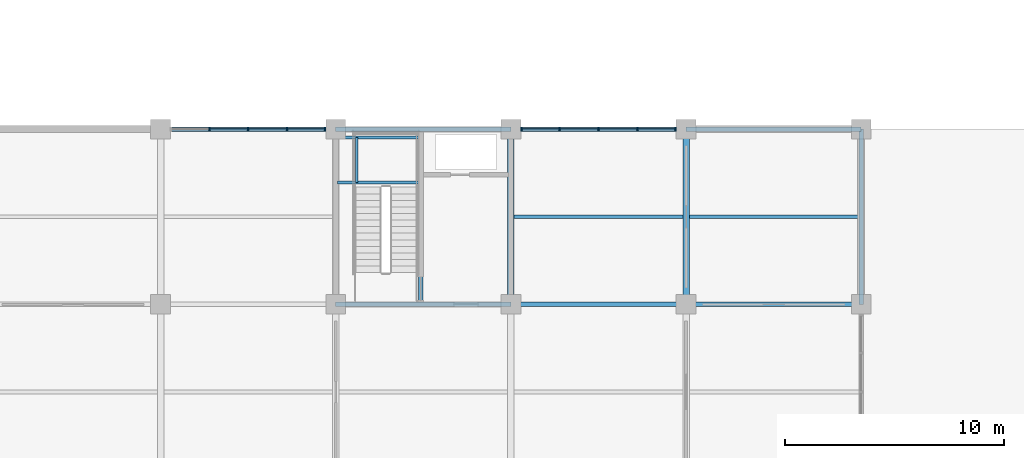
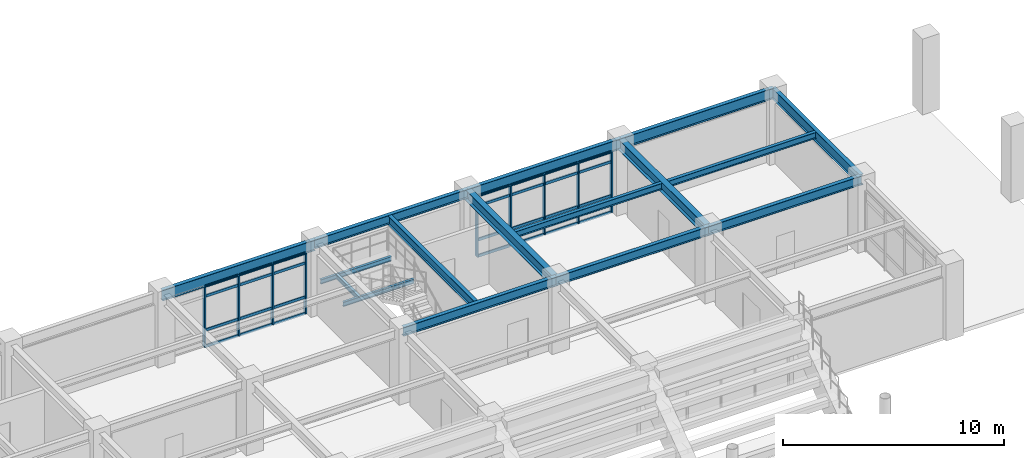
# One storey, part 57 of 118: 37 members, 16 beams, 2 elements without a shape of their own.
"""IFC4 building model written with IfcOpenShell, lengths in metres."""

from ifc_helpers import new_model, si_unit, direction, frame, origin, origin_2d, place, context, subcontext, project, spatial, rectangle, i_section, extrude, material, layer, layer_set, material_profile, profile_set, type_object, element, aggregate, save


model = new_model("IFC4")

# Units and contexts
model_context = context("Model", 3, precision=1e-05, world=origin(), true_north=direction((0.0, 1.0)))
body_context = subcontext(model_context, "Body", "Model", "MODEL_VIEW")
ifc_project = project(units=[si_unit("LENGTHUNIT", "METRE"), si_unit("AREAUNIT", "SQUARE_METRE"), si_unit("VOLUMEUNIT", "CUBIC_METRE"), si_unit("PLANEANGLEUNIT", "RADIAN"), si_unit("MASSUNIT", "GRAM", prefix="KILO")], contexts=[model_context])

# Site, building, storey
site_placement = place(None, origin())
site = spatial("IfcSite", under=ifc_project, at=site_placement, CompositionType="ELEMENT")
building_placement = place(site_placement, origin())
building = spatial("IfcBuilding", under=site, at=building_placement, Name="Haebicheon Civic Stadium", CompositionType="ELEMENT")
storey_placement = place(building_placement, frame((0.0, 0.0, 14.39990234375)))
storey = spatial("IfcBuildingStorey", under=building, at=storey_placement, Name="L04", CompositionType="ELEMENT", Elevation=14.39990234375)

# Beams
ifc_material_1 = material(Name="Steel SM355 (S355)", Category="steel")
ifc_material_profile_1 = material_profile(ifc_material_1, i_section(OverallWidth=0.199951171875, OverallDepth=0.5, WebThickness=0.010009765625, FlangeThickness=0.01611328125, at=origin_2d()), Name="H-500x200x10x16")
ifc_profile_set_1 = profile_set([ifc_material_profile_1], Name="Steel SM355 (S355)")
beam_type_1 = type_object("IfcBeamType", Name="BM-ST-H500", PredefinedType="BEAM", material=ifc_profile_set_1)
for number, where, z_axis, x_axis, name in (
    (1, (112.0, 160.0, 3.690185546875), (1.0, 0.0, 0.0), (0.0, 1.0, 0.0), "L04 beam W/15-16"),
    (2, (112.0, 168.0, 3.690185546875), (1.0, 0.0, 0.0), (0.0, 1.0, 0.0), "L04 beam X/15-16"),
    (3, (120.0, 160.0, 3.690185546875), (1.0, 0.0, 0.0), (0.0, 1.0, 0.0), "L04 beam W/16-17"),
    (4, (128.0, 160.0, 3.690185546875), (1.0, 0.0, 0.0), (0.0, 1.0, 0.0), "L04 beam W/17-18"),
):
    element("IfcBeam", number, at=place(storey_placement, frame(where, z_axis=z_axis, x_axis=x_axis)), inside=storey, type_object=beam_type_1, material=ifc_profile_set_1, Name=name, PredefinedType="BEAM", context=body_context, shape_type="SweptSolid", body=[
        extrude(i_section(OverallWidth=0.199951171875, OverallDepth=0.5, WebThickness=0.010009765625, FlangeThickness=0.01611328125, at=origin_2d()), origin(), (0.0, 0.0, 1.0), 8.0),
    ])
beam_1_placement = place(storey_placement, frame((115.8798828125, 160.10009765625, 3.690185546875), z_axis=(0.0, 1.0, 0.0), x_axis=(-1.0, 0.0, 0.0)))
element("IfcBeam", 5, at=beam_1_placement, inside=storey, type_object=beam_type_1, material=ifc_profile_set_1, Name="L04 KC-09 core dividing wall support beam", PredefinedType="BEAM", context=body_context, shape_type="SweptSolid", body=[
    extrude(i_section(OverallWidth=0.199951171875, OverallDepth=0.5, WebThickness=0.010009765625, FlangeThickness=0.01611328125, at=origin_2d()), origin(), (0.0, 0.0, 1.0), 7.7998046875),
])
ifc_material_2 = material(Name="Steel SM355 (S355)", Category="steel")
ifc_material_profile_2 = material_profile(ifc_material_2, i_section(OverallWidth=0.300048828125, OverallDepth=0.60009765625, WebThickness=0.011962890625, FlangeThickness=0.02001953125, at=origin_2d()), Name="H-600x300x12x20")
ifc_profile_set_2 = profile_set([ifc_material_profile_2], Name="Steel SM355 (S355)")
beam_type_2 = type_object("IfcBeamType", Name="BM-ST-H600A", PredefinedType="BEAM", material=ifc_profile_set_2)
for number, where, z_axis, x_axis, name in (
    (6, (120.0, 160.0, 3.64013671875), (0.0, 1.0, 0.0), (-1.0, 0.0, 0.0), "L04 girder 16/W-X"),
    (7, (128.0, 160.0, 3.64013671875), (0.0, 1.0, 0.0), (-1.0, 0.0, 0.0), "L04 girder 17/W-X"),
):
    element("IfcBeam", number, at=place(storey_placement, frame(where, z_axis=z_axis, x_axis=x_axis)), inside=storey, type_object=beam_type_2, material=ifc_profile_set_2, Name=name, PredefinedType="BEAM", context=body_context, shape_type="SweptSolid", body=[
        extrude(i_section(OverallWidth=0.300048828125, OverallDepth=0.60009765625, WebThickness=0.011962890625, FlangeThickness=0.02001953125, at=origin_2d()), origin(), (0.0, 0.0, 1.0), 8.0),
    ])

# Curtain wall, members
ifc_material_3 = material(Name="Anodised aluminium and laminated glass", Category="aluminium")
ifc_layer = layer(ifc_material_3, 0.179931640625, Name="Anodised aluminium and laminated glass")
ifc_layer_set = layer_set([ifc_layer], Name="Anodised aluminium and laminated glass")
curtain_wall_type = type_object("IfcCurtainWallType", Name="CW-7100x3330", PredefinedType="NOTDEFINED", material=ifc_layer_set)
curtain_wall_1_placement = place(storey_placement, origin())
curtain_wall_1 = element("IfcCurtainWall", 8, at=curtain_wall_1_placement, inside=storey, type_object=curtain_wall_type, material=ifc_layer_set, Name="L04 unitised curtain wall 135", PredefinedType="NOTDEFINED")
ifc_material_4 = material(Name="Anodised aluminium 6063-T6", Category="aluminium")
ifc_material_profile_3 = material_profile(ifc_material_4, rectangle(XDim=0.070068359375, YDim=0.199951171875, at=origin_2d()), Name="ALU-MULL-70x200")
ifc_profile_set_3 = profile_set([ifc_material_profile_3], Name="Anodised aluminium 6063-T6")
member_type_1 = type_object("IfcMemberType", Name="CWM-200x70", PredefinedType="MULLION", material=ifc_profile_set_3)
member_1_placement = place(storey_placement, frame((106.22509765625, 168.0, 0.0), z_axis=(0.0, 0.0, 1.0), x_axis=(1.0, 0.0, 0.0)))
member_1 = element("IfcMember", 9, at=member_1_placement, type_object=member_type_1, material=ifc_profile_set_3, Name="CW-L04-135 vertical mullion 2", PredefinedType="MULLION", context=body_context, shape_type="SweptSolid", body=[
    extrude(rectangle(XDim=0.070068359375, YDim=0.199951171875, at=origin_2d()), origin(), (0.0, 0.0, 1.0), 3.330078125),
])
member_2_placement = place(storey_placement, frame((108.0, 168.0, 0.0), z_axis=(0.0, 0.0, 1.0), x_axis=(1.0, 0.0, 0.0)))
member_2 = element("IfcMember", 10, at=member_2_placement, type_object=member_type_1, material=ifc_profile_set_3, Name="CW-L04-135 vertical mullion 3", PredefinedType="MULLION", context=body_context, shape_type="SweptSolid", body=[
    extrude(rectangle(XDim=0.070068359375, YDim=0.199951171875, at=origin_2d()), origin(), (0.0, 0.0, 1.0), 3.330078125),
])
member_3_placement = place(storey_placement, frame((109.77490234375, 168.0, 0.0), z_axis=(0.0, 0.0, 1.0), x_axis=(1.0, 0.0, 0.0)))
member_3 = element("IfcMember", 11, at=member_3_placement, type_object=member_type_1, material=ifc_profile_set_3, Name="CW-L04-135 vertical mullion 4", PredefinedType="MULLION", context=body_context, shape_type="SweptSolid", body=[
    extrude(rectangle(XDim=0.070068359375, YDim=0.199951171875, at=origin_2d()), origin(), (0.0, 0.0, 1.0), 3.330078125),
])
member_4_placement = place(storey_placement, frame((111.514892578125, 168.0, 0.0), z_axis=(0.0, 0.0, 1.0), x_axis=(1.0, 0.0, 0.0)))
member_4 = element("IfcMember", 12, at=member_4_placement, type_object=member_type_1, material=ifc_profile_set_3, Name="CW-L04-135 vertical mullion 5", PredefinedType="MULLION", context=body_context, shape_type="SweptSolid", body=[
    extrude(rectangle(XDim=0.070068359375, YDim=0.199951171875, at=origin_2d()), origin(), (0.0, 0.0, 1.0), 3.330078125),
])

curtain_wall_2_placement = place(storey_placement, origin())
curtain_wall_2 = element("IfcCurtainWall", 13, at=curtain_wall_2_placement, inside=storey, type_object=curtain_wall_type, material=ifc_layer_set, Name="L04 unitised curtain wall 138", PredefinedType="NOTDEFINED")
member_5_placement = place(storey_placement, frame((120.485107421875, 168.0, 0.0), z_axis=(0.0, 0.0, 1.0), x_axis=(1.0, 0.0, 0.0)))
member_5 = element("IfcMember", 14, at=member_5_placement, type_object=member_type_1, material=ifc_profile_set_3, Name="CW-L04-138 vertical mullion 1", PredefinedType="MULLION", context=body_context, shape_type="SweptSolid", body=[
    extrude(rectangle(XDim=0.070068359375, YDim=0.199951171875, at=origin_2d()), origin(), (0.0, 0.0, 1.0), 3.330078125),
])
member_6_placement = place(storey_placement, frame((122.22509765625, 168.0, 0.0), z_axis=(0.0, 0.0, 1.0), x_axis=(1.0, 0.0, 0.0)))
member_6 = element("IfcMember", 15, at=member_6_placement, type_object=member_type_1, material=ifc_profile_set_3, Name="CW-L04-138 vertical mullion 2", PredefinedType="MULLION", context=body_context, shape_type="SweptSolid", body=[
    extrude(rectangle(XDim=0.070068359375, YDim=0.199951171875, at=origin_2d()), origin(), (0.0, 0.0, 1.0), 3.330078125),
])
member_7_placement = place(storey_placement, frame((124.0, 168.0, 0.0), z_axis=(0.0, 0.0, 1.0), x_axis=(1.0, 0.0, 0.0)))
member_7 = element("IfcMember", 16, at=member_7_placement, type_object=member_type_1, material=ifc_profile_set_3, Name="CW-L04-138 vertical mullion 3", PredefinedType="MULLION", context=body_context, shape_type="SweptSolid", body=[
    extrude(rectangle(XDim=0.070068359375, YDim=0.199951171875, at=origin_2d()), origin(), (0.0, 0.0, 1.0), 3.330078125),
])
member_8_placement = place(storey_placement, frame((125.77490234375, 168.0, 0.0), z_axis=(0.0, 0.0, 1.0), x_axis=(1.0, 0.0, 0.0)))
member_8 = element("IfcMember", 17, at=member_8_placement, type_object=member_type_1, material=ifc_profile_set_3, Name="CW-L04-138 vertical mullion 4", PredefinedType="MULLION", context=body_context, shape_type="SweptSolid", body=[
    extrude(rectangle(XDim=0.070068359375, YDim=0.199951171875, at=origin_2d()), origin(), (0.0, 0.0, 1.0), 3.330078125),
])
member_9_placement = place(storey_placement, frame((127.514892578125, 168.0, 0.0), z_axis=(0.0, 0.0, 1.0), x_axis=(1.0, 0.0, 0.0)))
member_9 = element("IfcMember", 18, at=member_9_placement, type_object=member_type_1, material=ifc_profile_set_3, Name="CW-L04-138 vertical mullion 5", PredefinedType="MULLION", context=body_context, shape_type="SweptSolid", body=[
    extrude(rectangle(XDim=0.070068359375, YDim=0.199951171875, at=origin_2d()), origin(), (0.0, 0.0, 1.0), 3.330078125),
])

# Member
ifc_material_5 = material(Name="Anodised aluminium 6063-T6", Category="aluminium")
ifc_material_profile_4 = material_profile(ifc_material_5, rectangle(XDim=0.070068359375, YDim=0.14990234375, at=origin_2d()), Name="ALU-TRAN-70x150")
ifc_profile_set_4 = profile_set([ifc_material_profile_4], Name="Anodised aluminium 6063-T6")
member_type_2 = type_object("IfcMemberType", Name="CWT-150x70", PredefinedType="NOTDEFINED", material=ifc_profile_set_4)
member_10_placement = place(storey_placement, frame((106.260009765625, 168.0, 0.0), z_axis=(1.0, 0.0, 0.0), x_axis=(0.0, 1.0, 0.0)))
member_10 = element("IfcMember", 19, at=member_10_placement, type_object=member_type_2, material=ifc_profile_set_4, Name="CW-L04-135 horizontal transom 2.1", ObjectType="TRANSOM", PredefinedType="USERDEFINED", context=body_context, shape_type="SweptSolid", body=[
    extrude(rectangle(XDim=0.070068359375, YDim=0.14990234375, at=origin_2d()), origin(), (0.0, 0.0, 1.0), 1.705078125),
])

member_11_placement = place(storey_placement, frame((106.260009765625, 168.0, 0.900146484375), z_axis=(1.0, 0.0, 0.0), x_axis=(0.0, 1.0, 0.0)))
member_11 = element("IfcMember", 20, at=member_11_placement, type_object=member_type_2, material=ifc_profile_set_4, Name="CW-L04-135 horizontal transom 2.2", ObjectType="TRANSOM", PredefinedType="USERDEFINED", context=body_context, shape_type="SweptSolid", body=[
    extrude(rectangle(XDim=0.070068359375, YDim=0.14990234375, at=origin_2d()), origin(), (0.0, 0.0, 1.0), 1.705078125),
])

member_12_placement = place(storey_placement, frame((106.260009765625, 168.0, 2.780029296875), z_axis=(1.0, 0.0, 0.0), x_axis=(0.0, 1.0, 0.0)))
member_12 = element("IfcMember", 21, at=member_12_placement, type_object=member_type_2, material=ifc_profile_set_4, Name="CW-L04-135 horizontal transom 2.3", ObjectType="TRANSOM", PredefinedType="USERDEFINED", context=body_context, shape_type="SweptSolid", body=[
    extrude(rectangle(XDim=0.070068359375, YDim=0.14990234375, at=origin_2d()), origin(), (0.0, 0.0, 1.0), 1.705078125),
])

member_13_placement = place(storey_placement, frame((106.260009765625, 168.0, 3.330078125), z_axis=(1.0, 0.0, 0.0), x_axis=(0.0, 1.0, 0.0)))
member_13 = element("IfcMember", 22, at=member_13_placement, type_object=member_type_2, material=ifc_profile_set_4, Name="CW-L04-135 horizontal transom 2.4", ObjectType="TRANSOM", PredefinedType="USERDEFINED", context=body_context, shape_type="SweptSolid", body=[
    extrude(rectangle(XDim=0.070068359375, YDim=0.14990234375, at=origin_2d()), origin(), (0.0, 0.0, 1.0), 1.705078125),
])

member_14_placement = place(storey_placement, frame((108.034912109375, 168.0, 0.0), z_axis=(1.0, 0.0, 0.0), x_axis=(0.0, 1.0, 0.0)))
member_14 = element("IfcMember", 23, at=member_14_placement, type_object=member_type_2, material=ifc_profile_set_4, Name="CW-L04-135 horizontal transom 3.1", ObjectType="TRANSOM", PredefinedType="USERDEFINED", context=body_context, shape_type="SweptSolid", body=[
    extrude(rectangle(XDim=0.070068359375, YDim=0.14990234375, at=origin_2d()), origin(), (0.0, 0.0, 1.0), 1.705078125),
])

member_15_placement = place(storey_placement, frame((108.034912109375, 168.0, 0.900146484375), z_axis=(1.0, 0.0, 0.0), x_axis=(0.0, 1.0, 0.0)))
member_15 = element("IfcMember", 24, at=member_15_placement, type_object=member_type_2, material=ifc_profile_set_4, Name="CW-L04-135 horizontal transom 3.2", ObjectType="TRANSOM", PredefinedType="USERDEFINED", context=body_context, shape_type="SweptSolid", body=[
    extrude(rectangle(XDim=0.070068359375, YDim=0.14990234375, at=origin_2d()), origin(), (0.0, 0.0, 1.0), 1.705078125),
])

member_16_placement = place(storey_placement, frame((108.034912109375, 168.0, 2.780029296875), z_axis=(1.0, 0.0, 0.0), x_axis=(0.0, 1.0, 0.0)))
member_16 = element("IfcMember", 25, at=member_16_placement, type_object=member_type_2, material=ifc_profile_set_4, Name="CW-L04-135 horizontal transom 3.3", ObjectType="TRANSOM", PredefinedType="USERDEFINED", context=body_context, shape_type="SweptSolid", body=[
    extrude(rectangle(XDim=0.070068359375, YDim=0.14990234375, at=origin_2d()), origin(), (0.0, 0.0, 1.0), 1.705078125),
])

member_17_placement = place(storey_placement, frame((108.034912109375, 168.0, 3.330078125), z_axis=(1.0, 0.0, 0.0), x_axis=(0.0, 1.0, 0.0)))
member_17 = element("IfcMember", 26, at=member_17_placement, type_object=member_type_2, material=ifc_profile_set_4, Name="CW-L04-135 horizontal transom 3.4", ObjectType="TRANSOM", PredefinedType="USERDEFINED", context=body_context, shape_type="SweptSolid", body=[
    extrude(rectangle(XDim=0.070068359375, YDim=0.14990234375, at=origin_2d()), origin(), (0.0, 0.0, 1.0), 1.705078125),
])

member_18_placement = place(storey_placement, frame((109.81005859375, 168.0, 0.0), z_axis=(1.0, 0.0, 0.0), x_axis=(0.0, 1.0, 0.0)))
member_18 = element("IfcMember", 27, at=member_18_placement, type_object=member_type_2, material=ifc_profile_set_4, Name="CW-L04-135 horizontal transom 4.1", ObjectType="TRANSOM", PredefinedType="USERDEFINED", context=body_context, shape_type="SweptSolid", body=[
    extrude(rectangle(XDim=0.070068359375, YDim=0.14990234375, at=origin_2d()), origin(), (0.0, 0.0, 1.0), 1.669921875),
])

member_19_placement = place(storey_placement, frame((109.81005859375, 168.0, 0.900146484375), z_axis=(1.0, 0.0, 0.0), x_axis=(0.0, 1.0, 0.0)))
member_19 = element("IfcMember", 28, at=member_19_placement, type_object=member_type_2, material=ifc_profile_set_4, Name="CW-L04-135 horizontal transom 4.2", ObjectType="TRANSOM", PredefinedType="USERDEFINED", context=body_context, shape_type="SweptSolid", body=[
    extrude(rectangle(XDim=0.070068359375, YDim=0.14990234375, at=origin_2d()), origin(), (0.0, 0.0, 1.0), 1.669921875),
])

member_20_placement = place(storey_placement, frame((109.81005859375, 168.0, 2.780029296875), z_axis=(1.0, 0.0, 0.0), x_axis=(0.0, 1.0, 0.0)))
member_20 = element("IfcMember", 29, at=member_20_placement, type_object=member_type_2, material=ifc_profile_set_4, Name="CW-L04-135 horizontal transom 4.3", ObjectType="TRANSOM", PredefinedType="USERDEFINED", context=body_context, shape_type="SweptSolid", body=[
    extrude(rectangle(XDim=0.070068359375, YDim=0.14990234375, at=origin_2d()), origin(), (0.0, 0.0, 1.0), 1.669921875),
])

member_21_placement = place(storey_placement, frame((109.81005859375, 168.0, 3.330078125), z_axis=(1.0, 0.0, 0.0), x_axis=(0.0, 1.0, 0.0)))
member_21 = element("IfcMember", 30, at=member_21_placement, type_object=member_type_2, material=ifc_profile_set_4, Name="CW-L04-135 horizontal transom 4.4", ObjectType="TRANSOM", PredefinedType="USERDEFINED", context=body_context, shape_type="SweptSolid", body=[
    extrude(rectangle(XDim=0.070068359375, YDim=0.14990234375, at=origin_2d()), origin(), (0.0, 0.0, 1.0), 1.669921875),
])

aggregate(curtain_wall_1, [member_1, member_2, member_3, member_4, member_10, member_11, member_12, member_13, member_14, member_15, member_16, member_17, member_18, member_19, member_20, member_21])

member_22_placement = place(storey_placement, frame((120.52001953125, 168.0, 0.0), z_axis=(1.0, 0.0, 0.0), x_axis=(0.0, 1.0, 0.0)))
member_22 = element("IfcMember", 31, at=member_22_placement, type_object=member_type_2, material=ifc_profile_set_4, Name="CW-L04-138 horizontal transom 1.1", ObjectType="TRANSOM", PredefinedType="USERDEFINED", context=body_context, shape_type="SweptSolid", body=[
    extrude(rectangle(XDim=0.070068359375, YDim=0.14990234375, at=origin_2d()), origin(), (0.0, 0.0, 1.0), 1.669921875),
])

member_23_placement = place(storey_placement, frame((120.52001953125, 168.0, 0.900146484375), z_axis=(1.0, 0.0, 0.0), x_axis=(0.0, 1.0, 0.0)))
member_23 = element("IfcMember", 32, at=member_23_placement, type_object=member_type_2, material=ifc_profile_set_4, Name="CW-L04-138 horizontal transom 1.2", ObjectType="TRANSOM", PredefinedType="USERDEFINED", context=body_context, shape_type="SweptSolid", body=[
    extrude(rectangle(XDim=0.070068359375, YDim=0.14990234375, at=origin_2d()), origin(), (0.0, 0.0, 1.0), 1.669921875),
])

member_24_placement = place(storey_placement, frame((120.52001953125, 168.0, 2.780029296875), z_axis=(1.0, 0.0, 0.0), x_axis=(0.0, 1.0, 0.0)))
member_24 = element("IfcMember", 33, at=member_24_placement, type_object=member_type_2, material=ifc_profile_set_4, Name="CW-L04-138 horizontal transom 1.3", ObjectType="TRANSOM", PredefinedType="USERDEFINED", context=body_context, shape_type="SweptSolid", body=[
    extrude(rectangle(XDim=0.070068359375, YDim=0.14990234375, at=origin_2d()), origin(), (0.0, 0.0, 1.0), 1.669921875),
])

member_25_placement = place(storey_placement, frame((120.52001953125, 168.0, 3.330078125), z_axis=(1.0, 0.0, 0.0), x_axis=(0.0, 1.0, 0.0)))
member_25 = element("IfcMember", 34, at=member_25_placement, type_object=member_type_2, material=ifc_profile_set_4, Name="CW-L04-138 horizontal transom 1.4", ObjectType="TRANSOM", PredefinedType="USERDEFINED", context=body_context, shape_type="SweptSolid", body=[
    extrude(rectangle(XDim=0.070068359375, YDim=0.14990234375, at=origin_2d()), origin(), (0.0, 0.0, 1.0), 1.669921875),
])

member_26_placement = place(storey_placement, frame((122.260009765625, 168.0, 0.0), z_axis=(1.0, 0.0, 0.0), x_axis=(0.0, 1.0, 0.0)))
member_26 = element("IfcMember", 35, at=member_26_placement, type_object=member_type_2, material=ifc_profile_set_4, Name="CW-L04-138 horizontal transom 2.1", ObjectType="TRANSOM", PredefinedType="USERDEFINED", context=body_context, shape_type="SweptSolid", body=[
    extrude(rectangle(XDim=0.070068359375, YDim=0.14990234375, at=origin_2d()), origin(), (0.0, 0.0, 1.0), 1.705078125),
])

member_27_placement = place(storey_placement, frame((122.260009765625, 168.0, 0.900146484375), z_axis=(1.0, 0.0, 0.0), x_axis=(0.0, 1.0, 0.0)))
member_27 = element("IfcMember", 36, at=member_27_placement, type_object=member_type_2, material=ifc_profile_set_4, Name="CW-L04-138 horizontal transom 2.2", ObjectType="TRANSOM", PredefinedType="USERDEFINED", context=body_context, shape_type="SweptSolid", body=[
    extrude(rectangle(XDim=0.070068359375, YDim=0.14990234375, at=origin_2d()), origin(), (0.0, 0.0, 1.0), 1.705078125),
])

member_28_placement = place(storey_placement, frame((122.260009765625, 168.0, 2.780029296875), z_axis=(1.0, 0.0, 0.0), x_axis=(0.0, 1.0, 0.0)))
member_28 = element("IfcMember", 37, at=member_28_placement, type_object=member_type_2, material=ifc_profile_set_4, Name="CW-L04-138 horizontal transom 2.3", ObjectType="TRANSOM", PredefinedType="USERDEFINED", context=body_context, shape_type="SweptSolid", body=[
    extrude(rectangle(XDim=0.070068359375, YDim=0.14990234375, at=origin_2d()), origin(), (0.0, 0.0, 1.0), 1.705078125),
])

member_29_placement = place(storey_placement, frame((122.260009765625, 168.0, 3.330078125), z_axis=(1.0, 0.0, 0.0), x_axis=(0.0, 1.0, 0.0)))
member_29 = element("IfcMember", 38, at=member_29_placement, type_object=member_type_2, material=ifc_profile_set_4, Name="CW-L04-138 horizontal transom 2.4", ObjectType="TRANSOM", PredefinedType="USERDEFINED", context=body_context, shape_type="SweptSolid", body=[
    extrude(rectangle(XDim=0.070068359375, YDim=0.14990234375, at=origin_2d()), origin(), (0.0, 0.0, 1.0), 1.705078125),
])

member_30_placement = place(storey_placement, frame((124.034912109375, 168.0, 0.0), z_axis=(1.0, 0.0, 0.0), x_axis=(0.0, 1.0, 0.0)))
member_30 = element("IfcMember", 39, at=member_30_placement, type_object=member_type_2, material=ifc_profile_set_4, Name="CW-L04-138 horizontal transom 3.1", ObjectType="TRANSOM", PredefinedType="USERDEFINED", context=body_context, shape_type="SweptSolid", body=[
    extrude(rectangle(XDim=0.070068359375, YDim=0.14990234375, at=origin_2d()), origin(), (0.0, 0.0, 1.0), 1.705078125),
])

member_31_placement = place(storey_placement, frame((124.034912109375, 168.0, 0.900146484375), z_axis=(1.0, 0.0, 0.0), x_axis=(0.0, 1.0, 0.0)))
member_31 = element("IfcMember", 40, at=member_31_placement, type_object=member_type_2, material=ifc_profile_set_4, Name="CW-L04-138 horizontal transom 3.2", ObjectType="TRANSOM", PredefinedType="USERDEFINED", context=body_context, shape_type="SweptSolid", body=[
    extrude(rectangle(XDim=0.070068359375, YDim=0.14990234375, at=origin_2d()), origin(), (0.0, 0.0, 1.0), 1.705078125),
])

member_32_placement = place(storey_placement, frame((124.034912109375, 168.0, 2.780029296875), z_axis=(1.0, 0.0, 0.0), x_axis=(0.0, 1.0, 0.0)))
member_32 = element("IfcMember", 41, at=member_32_placement, type_object=member_type_2, material=ifc_profile_set_4, Name="CW-L04-138 horizontal transom 3.3", ObjectType="TRANSOM", PredefinedType="USERDEFINED", context=body_context, shape_type="SweptSolid", body=[
    extrude(rectangle(XDim=0.070068359375, YDim=0.14990234375, at=origin_2d()), origin(), (0.0, 0.0, 1.0), 1.705078125),
])

member_33_placement = place(storey_placement, frame((124.034912109375, 168.0, 3.330078125), z_axis=(1.0, 0.0, 0.0), x_axis=(0.0, 1.0, 0.0)))
member_33 = element("IfcMember", 42, at=member_33_placement, type_object=member_type_2, material=ifc_profile_set_4, Name="CW-L04-138 horizontal transom 3.4", ObjectType="TRANSOM", PredefinedType="USERDEFINED", context=body_context, shape_type="SweptSolid", body=[
    extrude(rectangle(XDim=0.070068359375, YDim=0.14990234375, at=origin_2d()), origin(), (0.0, 0.0, 1.0), 1.705078125),
])

member_34_placement = place(storey_placement, frame((125.81005859375, 168.0, 0.0), z_axis=(1.0, 0.0, 0.0), x_axis=(0.0, 1.0, 0.0)))
member_34 = element("IfcMember", 43, at=member_34_placement, type_object=member_type_2, material=ifc_profile_set_4, Name="CW-L04-138 horizontal transom 4.1", ObjectType="TRANSOM", PredefinedType="USERDEFINED", context=body_context, shape_type="SweptSolid", body=[
    extrude(rectangle(XDim=0.070068359375, YDim=0.14990234375, at=origin_2d()), origin(), (0.0, 0.0, 1.0), 1.669921875),
])

member_35_placement = place(storey_placement, frame((125.81005859375, 168.0, 0.900146484375), z_axis=(1.0, 0.0, 0.0), x_axis=(0.0, 1.0, 0.0)))
member_35 = element("IfcMember", 44, at=member_35_placement, type_object=member_type_2, material=ifc_profile_set_4, Name="CW-L04-138 horizontal transom 4.2", ObjectType="TRANSOM", PredefinedType="USERDEFINED", context=body_context, shape_type="SweptSolid", body=[
    extrude(rectangle(XDim=0.070068359375, YDim=0.14990234375, at=origin_2d()), origin(), (0.0, 0.0, 1.0), 1.669921875),
])

member_36_placement = place(storey_placement, frame((125.81005859375, 168.0, 2.780029296875), z_axis=(1.0, 0.0, 0.0), x_axis=(0.0, 1.0, 0.0)))
member_36 = element("IfcMember", 45, at=member_36_placement, type_object=member_type_2, material=ifc_profile_set_4, Name="CW-L04-138 horizontal transom 4.3", ObjectType="TRANSOM", PredefinedType="USERDEFINED", context=body_context, shape_type="SweptSolid", body=[
    extrude(rectangle(XDim=0.070068359375, YDim=0.14990234375, at=origin_2d()), origin(), (0.0, 0.0, 1.0), 1.669921875),
])

member_37_placement = place(storey_placement, frame((125.81005859375, 168.0, 3.330078125), z_axis=(1.0, 0.0, 0.0), x_axis=(0.0, 1.0, 0.0)))
member_37 = element("IfcMember", 46, at=member_37_placement, type_object=member_type_2, material=ifc_profile_set_4, Name="CW-L04-138 horizontal transom 4.4", ObjectType="TRANSOM", PredefinedType="USERDEFINED", context=body_context, shape_type="SweptSolid", body=[
    extrude(rectangle(XDim=0.070068359375, YDim=0.14990234375, at=origin_2d()), origin(), (0.0, 0.0, 1.0), 1.669921875),
])

aggregate(curtain_wall_2, [member_5, member_6, member_7, member_8, member_9, member_22, member_23, member_24, member_25, member_26, member_27, member_28, member_29, member_30, member_31, member_32, member_33, member_34, member_35, member_36, member_37])

# Beams
ifc_material_6 = material(Name="Steel SM355 (S355)", Category="steel")
ifc_material_profile_5 = material_profile(ifc_material_6, i_section(OverallWidth=0.125, OverallDepth=0.25, WebThickness=0.006103515625, FlangeThickness=0.009033203125, at=origin_2d()), Name="H-250x125x6x9")
ifc_profile_set_5 = profile_set([ifc_material_profile_5], Name="Steel SM355 (S355)")
beam_type_3 = type_object("IfcBeamType", Name="JST-ST-H250", PredefinedType="JOIST", material=ifc_profile_set_5)
for number, where, z_axis, x_axis, name in (
    (47, (112.080078125, 165.570068359375, 1.772216796875), (1.0, 0.0, 0.0), (0.0, 1.0, 0.0), "KC-09 L04 stair half-landing front trimmer beam"),
    (48, (112.080078125, 167.6201171875, 1.772216796875), (1.0, 0.0, 0.0), (0.0, 1.0, 0.0), "KC-09 L04 stair half-landing rear trimmer beam"),
):
    element("IfcBeam", number, at=place(storey_placement, frame(where, z_axis=z_axis, x_axis=x_axis)), inside=storey, type_object=beam_type_3, material=ifc_profile_set_5, Name=name, PredefinedType="JOIST", context=body_context, shape_type="SweptSolid", body=[
        extrude(i_section(OverallWidth=0.125, OverallDepth=0.25, WebThickness=0.006103515625, FlangeThickness=0.009033203125, at=origin_2d()), origin(), (0.0, 0.0, 1.0), 3.719970703125),
    ])
beam_2_placement = place(storey_placement, frame((112.9599609375, 165.570068359375, 1.772216796875), z_axis=(0.0, 1.0, 0.0), x_axis=(-1.0, 0.0, 0.0)))
element("IfcBeam", 49, at=beam_2_placement, inside=storey, type_object=beam_type_3, material=ifc_profile_set_5, Name="KC-09 L04 stair half-landing transverse tie beam", PredefinedType="JOIST", context=body_context, shape_type="SweptSolid", body=[
    extrude(i_section(OverallWidth=0.125, OverallDepth=0.25, WebThickness=0.006103515625, FlangeThickness=0.009033203125, at=origin_2d()), origin(), (0.0, 0.0, 1.0), 2.050048828125),
])
ifc_material_7 = material(Name="Steel SM355 (S355)", Category="steel")
ifc_material_profile_6 = material_profile(ifc_material_7, i_section(OverallWidth=0.175048828125, OverallDepth=0.35009765625, WebThickness=0.007080078125, FlangeThickness=0.010986328125, at=origin_2d()), Name="H-350x175x7x11")
ifc_profile_set_6 = profile_set([ifc_material_profile_6], Name="Steel SM355 (S355)")
beam_type_4 = type_object("IfcBeamType", Name="JST-ST-H350", PredefinedType="JOIST", material=ifc_profile_set_6)
beam_3_placement = place(storey_placement, frame((120.14990234375, 164.0, 3.76513671875), z_axis=(1.0, 0.0, 0.0), x_axis=(0.0, 1.0, 0.0)))
element("IfcBeam", 50, at=beam_3_placement, inside=storey, type_object=beam_type_4, material=ifc_profile_set_6, Name="L04 secondary joist 15-20", PredefinedType="JOIST", context=body_context, shape_type="SweptSolid", body=[
    extrude(i_section(OverallWidth=0.175048828125, OverallDepth=0.35009765625, WebThickness=0.007080078125, FlangeThickness=0.010986328125, at=origin_2d()), origin(), (0.0, 0.0, 1.0), 7.7001953125),
])
beam_4_placement = place(storey_placement, frame((128.14990234375, 164.0, 3.76513671875), z_axis=(1.0, 0.0, 0.0), x_axis=(0.0, 1.0, 0.0)))
element("IfcBeam", 51, at=beam_4_placement, inside=storey, type_object=beam_type_4, material=ifc_profile_set_6, Name="L04 secondary joist 16-20", PredefinedType="JOIST", context=body_context, shape_type="SweptSolid", body=[
    extrude(i_section(OverallWidth=0.175048828125, OverallDepth=0.35009765625, WebThickness=0.007080078125, FlangeThickness=0.010986328125, at=origin_2d()), origin(), (0.0, 0.0, 1.0), 7.75),
])
ifc_material_8 = material(Name="Steel SM355 (S355)", Category="steel")
ifc_material_profile_7 = material_profile(ifc_material_8, i_section(OverallWidth=0.199951171875, OverallDepth=0.60009765625, WebThickness=0.010986328125, FlangeThickness=0.01708984375, at=origin_2d()), Name="H-600x200x11x17")
ifc_profile_set_7 = profile_set([ifc_material_profile_7], Name="Steel SM355 (S355)")
beam_type_5 = type_object("IfcBeamType", Name="SPD-ST-H600B", PredefinedType="SPANDREL", material=ifc_profile_set_7)
for number, where, z_axis, x_axis, name in (
    (52, (136.0, 160.0, 3.64013671875), (0.0, 1.0, 0.0), (-1.0, 0.0, 0.0), "L04 girder 18/W-X"),
    (53, (104.0, 168.0, 3.64013671875), (1.0, 0.0, 0.0), (0.0, 1.0, 0.0), "L04 beam X/14-15"),
    (54, (120.0, 168.0, 3.64013671875), (1.0, 0.0, 0.0), (0.0, 1.0, 0.0), "L04 beam X/16-17"),
    (55, (128.0, 168.0, 3.64013671875), (1.0, 0.0, 0.0), (0.0, 1.0, 0.0), "L04 beam X/17-18"),
):
    element("IfcBeam", number, at=place(storey_placement, frame(where, z_axis=z_axis, x_axis=x_axis)), inside=storey, type_object=beam_type_5, material=ifc_profile_set_7, Name=name, PredefinedType="SPANDREL", context=body_context, shape_type="SweptSolid", body=[
        extrude(i_section(OverallWidth=0.199951171875, OverallDepth=0.60009765625, WebThickness=0.010986328125, FlangeThickness=0.01708984375, at=origin_2d()), origin(), (0.0, 0.0, 1.0), 8.0),
    ])

save(model, "model.ifc")
